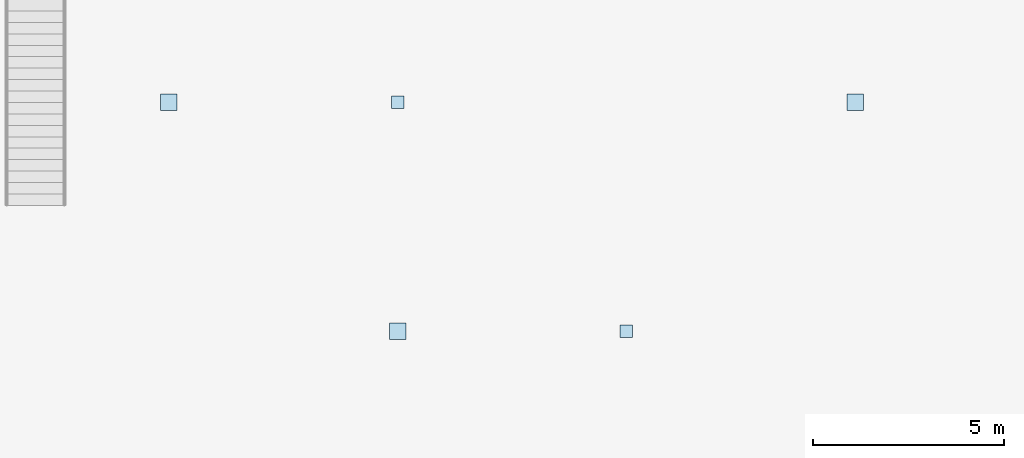
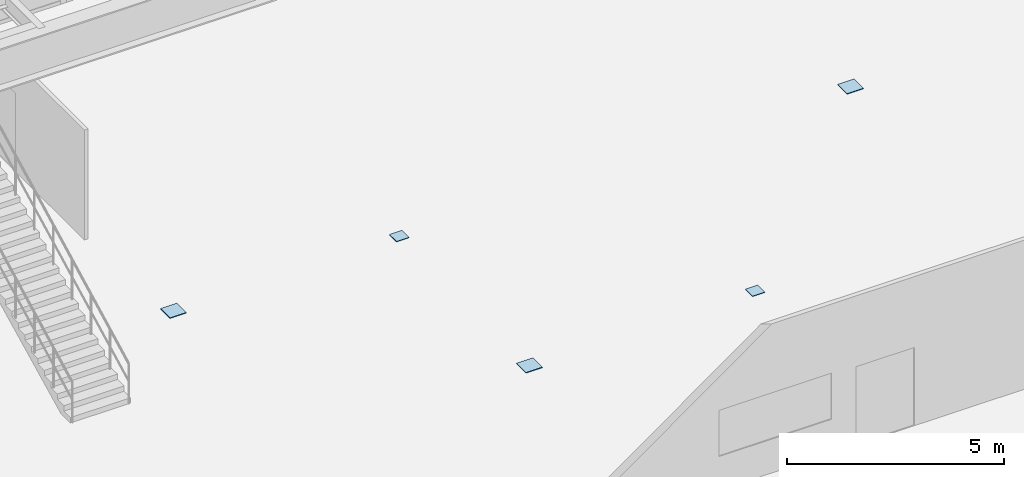
# One storey, part 54 of 84: 5 plates.
"""IFC4 building model written with IfcOpenShell, lengths in metres."""

from ifc_helpers import new_model, si_unit, direction, frame, origin, origin_2d, place, context, subcontext, project, spatial, rectangle, extrude, material, layer, layer_set, type_object, element, save


model = new_model("IFC4")

# Units and contexts
model_context = context("Model", 3, precision=1e-05, world=origin(), true_north=direction((0.0, 1.0)))
body_context = subcontext(model_context, "Body", "Model", "MODEL_VIEW")
ifc_project = project(units=[si_unit("LENGTHUNIT", "METRE"), si_unit("AREAUNIT", "SQUARE_METRE"), si_unit("VOLUMEUNIT", "CUBIC_METRE"), si_unit("PLANEANGLEUNIT", "RADIAN"), si_unit("MASSUNIT", "GRAM", prefix="KILO")], contexts=[model_context])

# Site, building, storey
site_placement = place(None, origin())
site = spatial("IfcSite", under=ifc_project, at=site_placement, CompositionType="ELEMENT")
building_placement = place(site_placement, origin())
building = spatial("IfcBuilding", under=site, at=building_placement, Name="Varnakota Square Police Headquarters", CompositionType="ELEMENT")
storey_placement = place(building_placement, frame((0.0, 0.0, 13.5)))
storey = spatial("IfcBuildingStorey", under=building, at=storey_placement, Name="L03", CompositionType="ELEMENT", Elevation=13.5)

# Plates
ifc_material = material(Name="Steel IS 2062 Grade 350", Category="steel")
ifc_layer_1 = layer(ifc_material, 0.01611328125, Name="Steel IS 2062 Grade 350")
ifc_layer_set_1 = layer_set([ifc_layer_1], Name="Steel IS 2062 Grade 350")
plate_type_1 = type_object("IfcPlateType", Name="PL-CAP-16", PredefinedType="SHEET", material=ifc_layer_set_1)
for number, where, z_axis, x_axis, name in (
    (1, (78.0, 87.0, -0.001953125), (0.0, 0.0, 1.0), (1.0, 0.0, 0.0), "Hollow column top cap plate CP-COL-X0780-Y0870"),
    (2, (84.0, 81.0, -0.001953125), (0.0, 0.0, 1.0), (1.0, 0.0, 0.0), "Hollow column top cap plate CP-COL-X0840-Y0810"),
):
    element("IfcPlate", number, at=place(storey_placement, frame(where, z_axis=z_axis, x_axis=x_axis)), inside=storey, type_object=plate_type_1, Name=name, PredefinedType="SHEET", context=body_context, shape_type="SweptSolid", body=[
        extrude(rectangle(XDim=0.330078125, YDim=0.330078125, at=origin_2d()), origin(), (0.0, 0.0, 1.0), 0.01611328125),
    ])
ifc_layer_2 = layer(ifc_material, 0.02001953125, Name="Steel IS 2062 Grade 350")
ifc_layer_set_2 = layer_set([ifc_layer_2], Name="Steel IS 2062 Grade 350")
plate_type_2 = type_object("IfcPlateType", Name="PL-CAP-20", PredefinedType="SHEET", material=ifc_layer_set_2)
for number, where, z_axis, x_axis, name in (
    (3, (72.0, 87.0, -0.001953125), (0.0, 0.0, 1.0), (1.0, 0.0, 0.0), "Hollow column top cap plate CP-COL-X0720-Y0870"),
    (4, (78.0, 81.0, -0.001953125), (0.0, 0.0, 1.0), (1.0, 0.0, 0.0), "Hollow column top cap plate CP-COL-X0780-Y0810"),
    (5, (90.0, 87.0, -0.001953125), (0.0, 0.0, 1.0), (1.0, 0.0, 0.0), "Hollow column top cap plate CP-COL-X0900-Y0870"),
):
    element("IfcPlate", number, at=place(storey_placement, frame(where, z_axis=z_axis, x_axis=x_axis)), inside=storey, type_object=plate_type_2, Name=name, PredefinedType="SHEET", context=body_context, shape_type="SweptSolid", body=[
        extrude(rectangle(XDim=0.436279296875, YDim=0.436279296875, at=origin_2d()), origin(), (0.0, 0.0, 1.0), 0.02001953125),
    ])

save(model, "model.ifc")
